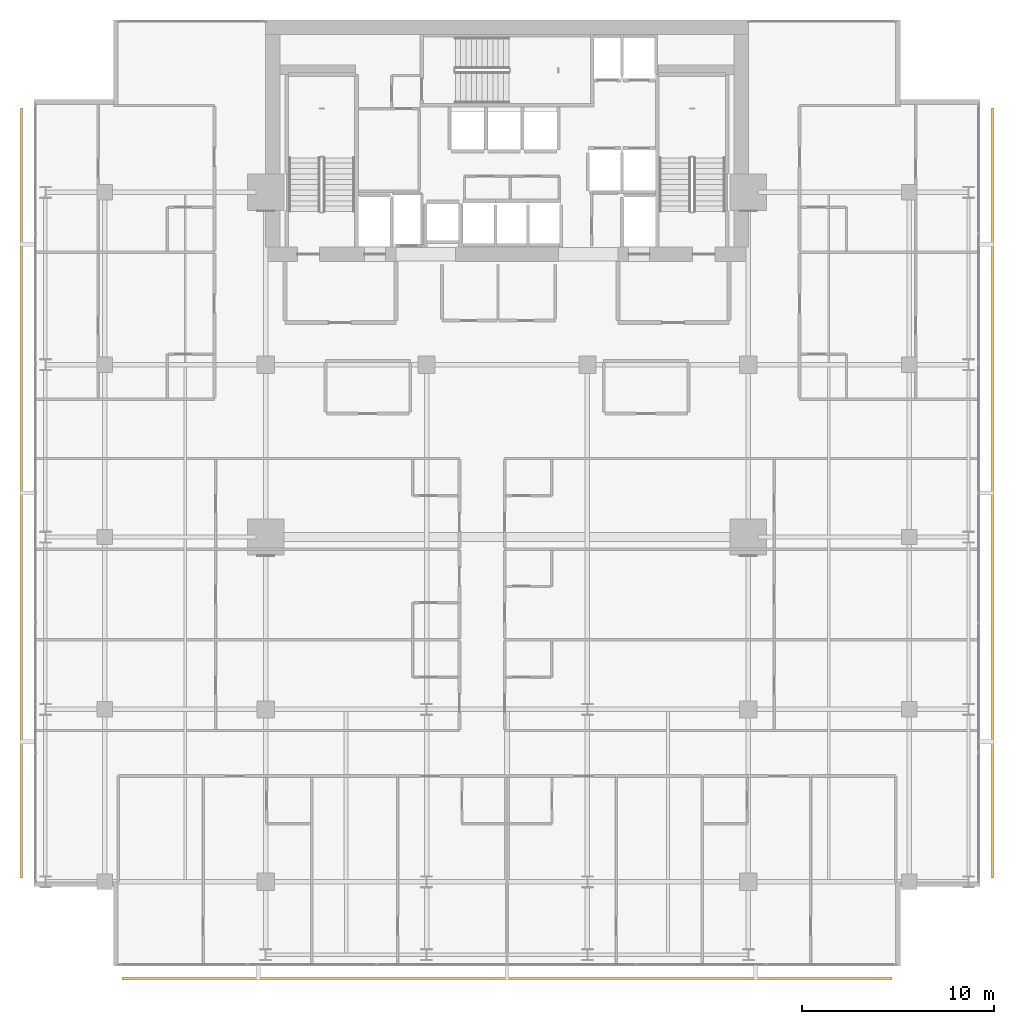
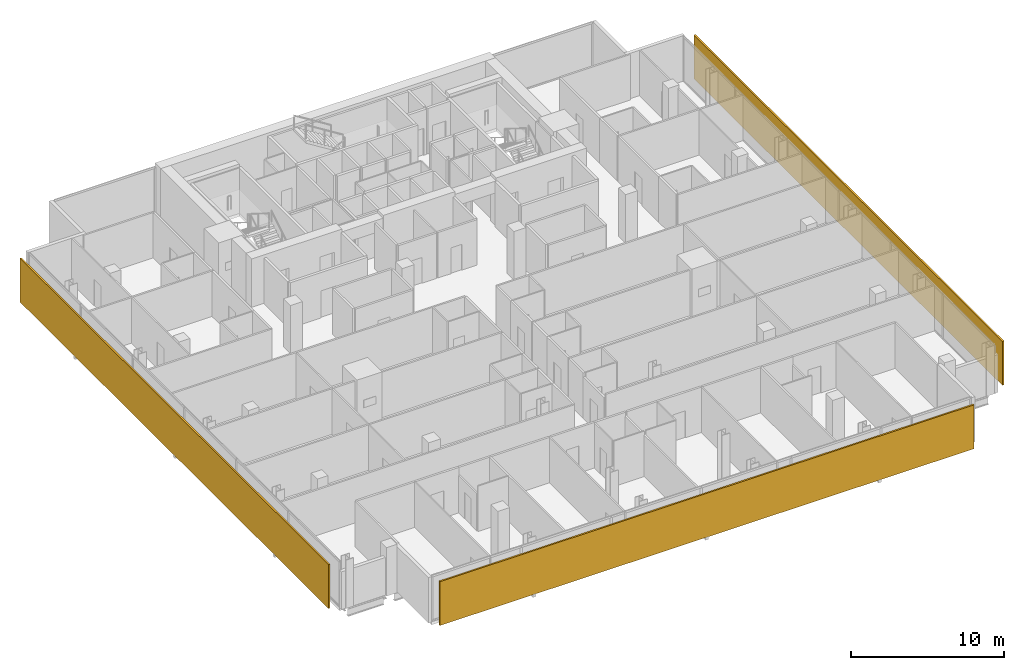
# One storey, part 33 of 34: 3 shading devices.
"""IFC4 building model written with IfcOpenShell, lengths in metres."""

import ifcopenshell
import ifcopenshell.guid

model = None  # the IFC model being written
_history = None  # IfcOwnerHistory: only IFC2X3 demands one
_inside = {}  # id of a spatial element -> (the spatial element, [elements in it])
_under = {}  # id of a project, library or spatial element -> (it, [spatial elements below it])
_declared = {}  # id of a project -> (the project, [libraries it declares])
_typed = {}  # id of a type object -> (the type object, [elements of that type])
_made_of = {}  # id of a material, layer set ... -> (it, [elements and type objects made of it])


def new_model(schema):
    """Start an empty IFC model of exactly this schema.

    Asked for "IFC4X3", IfcOpenShell would pick the latest addendum, in which some entities
    have other attributes; the version numbers below select the first issue.
    IFC2X3 requires an IfcOwnerHistory on every rooted entity: one is made here for all.
    """
    global model, _history
    if schema == "IFC4X3":
        model = ifcopenshell.file(schema_version=(4, 3, 0, 0))
    else:
        model = ifcopenshell.file(schema=schema)
    _inside.clear()
    _under.clear()
    _declared.clear()
    _typed.clear()
    _made_of.clear()
    _history = None
    if model.schema == "IFC2X3":
        org = make("IfcOrganization", Name="unknown")
        user = make(
            "IfcPersonAndOrganization",
            ThePerson=make("IfcPerson", FamilyName="unknown"),
            TheOrganization=org,
        )
        app = make(
            "IfcApplication",
            ApplicationDeveloper=org,
            Version="unknown",
            ApplicationFullName="unknown",
            ApplicationIdentifier="unknown",
        )
        _history = make(
            "IfcOwnerHistory",
            OwningUser=user,
            OwningApplication=app,
            ChangeAction="ADDED",
            CreationDate=0,
        )
    return model


def make(cls, **values):
    """One entity of the class cls with the attributes given. An attribute that is None is left unset."""
    return model.create_entity(
        cls, **{name: value for name, value in values.items() if value is not None}
    )


def rooted(cls, **values):
    """An entity with a GlobalId (a new one), such as an element, a storey or a relation."""
    return make(cls, GlobalId=ifcopenshell.guid.new(), OwnerHistory=_history, **values)


def si_unit(unit_type, name, prefix=None):
    """IfcSIUnit, for example si_unit("LENGTHUNIT", "METRE", prefix="MILLI")."""
    return make("IfcSIUnit", UnitType=unit_type, Prefix=prefix, Name=name)


def assignment(units):
    """IfcUnitAssignment: the units of a project."""
    return None if units is None else make("IfcUnitAssignment", Units=units)


def point(xyz):
    """IfcCartesianPoint."""
    return None if xyz is None else make("IfcCartesianPoint", Coordinates=xyz)


def direction(xyz):
    """IfcDirection."""
    return None if xyz is None else make("IfcDirection", DirectionRatios=xyz)


def frame(location, z_axis=None, x_axis=None):
    """IfcAxis2Placement3D, a coordinate frame: its origin and axes. An axis left out is left unset."""
    return make(
        "IfcAxis2Placement3D",
        Location=point(location),
        Axis=direction(z_axis),
        RefDirection=direction(x_axis),
    )


def frame_2d(location, x_axis=None):
    """IfcAxis2Placement2D, a coordinate frame in the plane: its origin and x axis."""
    return make(
        "IfcAxis2Placement2D", Location=point(location), RefDirection=direction(x_axis)
    )


def origin():
    """The frame at (0, 0, 0) with its axes left unset."""
    return frame((0.0, 0.0, 0.0))


def origin_2d():
    """The frame at (0, 0) in the plane with its x axis left unset."""
    return frame_2d((0.0, 0.0))


def place(relative_to, where):
    """IfcLocalPlacement: puts the frame where relative to a parent placement (None: the world)."""
    return make(
        "IfcLocalPlacement", PlacementRelTo=relative_to, RelativePlacement=where
    )


def context(
    kind, dimensions, precision=None, world=None, true_north=None, identifier=None
):
    """IfcGeometricRepresentationContext, for example the 3D "Model" context."""
    return make(
        "IfcGeometricRepresentationContext",
        ContextIdentifier=identifier,
        ContextType=kind,
        CoordinateSpaceDimension=dimensions,
        Precision=precision,
        WorldCoordinateSystem=world,
        TrueNorth=true_north,
    )


def subcontext(parent, identifier, kind, view, scale=None):
    """IfcGeometricRepresentationSubContext, for example "Body" below "Model"."""
    return make(
        "IfcGeometricRepresentationSubContext",
        ContextIdentifier=identifier,
        ContextType=kind,
        ParentContext=parent,
        TargetScale=scale,
        TargetView=view,
    )


def project(units=None, contexts=None):
    """IfcProject with its units and contexts."""
    return rooted(
        "IfcProject",
        Name="project",
        RepresentationContexts=contexts,
        UnitsInContext=assignment(units),
    )


def spatial(cls, under=None, at=None, **own):
    """A site, building, storey or space (cls), placed at a placement, below another one or the project."""
    s = rooted(cls, ObjectPlacement=at, **own)
    if under is not None:
        _under.setdefault(under.id(), (under, []))[1].append(s)
    return s


def profile(cls, at=None, kind="AREA", **sizes):
    """A parametric profile (cls). Its sizes go by their IFC names, for example OverallWidth=200.0."""
    return make(cls, ProfileType=kind, Position=at, **sizes)


def rectangle(**sizes):
    """IfcRectangleProfileDef."""
    return profile("IfcRectangleProfileDef", **sizes)


def extrude(swept, where, along, depth):
    """IfcExtrudedAreaSolid: the profile swept, set in the frame where, extruded along a direction by depth."""
    return make(
        "IfcExtrudedAreaSolid",
        SweptArea=swept,
        Position=where,
        ExtrudedDirection=direction(along),
        Depth=depth,
    )


def shape(context_of_items, identifier, shape_type, items):
    """IfcShapeRepresentation: the items that make up one representation, for example the "Body"."""
    return make(
        "IfcShapeRepresentation",
        ContextOfItems=context_of_items,
        RepresentationIdentifier=identifier,
        RepresentationType=shape_type,
        Items=items,
    )


def material(Name=None, Category=None):
    """IfcMaterial."""
    return make("IfcMaterial", Name=Name, Category=Category)


def layer(
    of_material, thickness, ventilated=None, Name=None, Category=None, Priority=None
):
    """IfcMaterialLayer: one layer of a wall or slab, of a material (None: an air gap)."""
    return make(
        "IfcMaterialLayer",
        Material=of_material,
        LayerThickness=thickness,
        IsVentilated=ventilated,
        Name=Name,
        Category=Category,
        Priority=Priority,
    )


def layer_set(layers, Name=None):
    """IfcMaterialLayerSet."""
    return make("IfcMaterialLayerSet", MaterialLayers=layers, LayerSetName=Name)


def made_of(thing, what):
    """Note that an element or type object is made of a material, layer set ...; save() writes the relation."""
    if what is not None:
        _made_of.setdefault(what.id(), (what, []))[1].append(thing)
    return thing


def type_object(cls, material=None, **own):
    """A type object (cls), such as IfcWallType, which elements share."""
    return made_of(rooted(cls, **own), material)


def element(
    cls,
    number,
    at=None,
    inside=None,
    cuts=None,
    type_object=None,
    material=None,
    context=None,
    identifier="Body",
    shape_type=None,
    held_by="IfcProductDefinitionShape",
    body=None,
    shapes=None,
    **own,
):
    """One element of the class cls, such as IfcWall. Its Tag is "e" and its number.

    at: its placement. inside: the storey or other place that contains it. cuts: it is an
    opening in that element (IfcRelVoidsElement). A single representation is given by context,
    identifier, shape_type and body (its items); several are given by shapes. held_by: the class
    of the entity that holds the representations. save() writes the other relations.
    """
    e = rooted(cls, Tag="e%d" % number, ObjectPlacement=at, **own)
    if body is not None:
        shapes = [shape(context, identifier, shape_type, body)]
    if shapes is not None:
        e.Representation = make(held_by, Representations=shapes)
    if inside is not None:
        _inside.setdefault(inside.id(), (inside, []))[1].append(e)
    if cuts is not None:
        rooted(
            "IfcRelVoidsElement", RelatingBuildingElement=cuts, RelatedOpeningElement=e
        )
    if type_object is not None:
        _typed.setdefault(type_object.id(), (type_object, []))[1].append(e)
    return made_of(e, material)


def aggregate(whole, parts):
    """IfcRelAggregates: a whole, such as a stair, and the parts it consists of."""
    return rooted("IfcRelAggregates", RelatingObject=whole, RelatedObjects=parts)


def save(model, path):
    """Write the relations noted so far, then the file.

    IfcRelAggregates (storeys below a building ...), IfcRelContainedInSpatialStructure (elements
    in a storey), IfcRelDefinesByType, IfcRelAssociatesMaterial and IfcRelDeclares: one each for
    every whole, place, type object, material and project.
    """
    for whole, parts in _under.values():
        aggregate(whole, parts)
    for where, things in _inside.values():
        rooted(
            "IfcRelContainedInSpatialStructure",
            RelatedElements=things,
            RelatingStructure=where,
        )
    for kind, things in _typed.values():
        rooted("IfcRelDefinesByType", RelatedObjects=things, RelatingType=kind)
    for what, things in _made_of.values():
        rooted("IfcRelAssociatesMaterial", RelatedObjects=things, RelatingMaterial=what)
    for by, libraries in _declared.values():
        rooted("IfcRelDeclares", RelatingContext=by, RelatedDefinitions=libraries)
    model.write(path)


model = new_model("IFC4")

# Units and contexts
model_context = context("Model", 3, precision=1e-05, world=origin(), true_north=direction((0.0, 1.0)))
body_context = subcontext(model_context, "Body", "Model", "MODEL_VIEW")
ifc_project = project(units=[si_unit("LENGTHUNIT", "METRE"), si_unit("AREAUNIT", "SQUARE_METRE"), si_unit("VOLUMEUNIT", "CUBIC_METRE"), si_unit("PLANEANGLEUNIT", "RADIAN"), si_unit("MASSUNIT", "GRAM", prefix="KILO")], contexts=[model_context])

# Site, building, storey
site_placement = place(None, origin())
site = spatial("IfcSite", under=ifc_project, at=site_placement, CompositionType="ELEMENT")
building_placement = place(site_placement, origin())
building = spatial("IfcBuilding", under=site, at=building_placement, Name="Maruvema Waterfront Hotel and Observation Tower", CompositionType="ELEMENT")
storey_placement = place(building_placement, frame((0.0, 0.0, 146.64990234375)))
storey = spatial("IfcBuildingStorey", under=building, at=storey_placement, Name="L35", CompositionType="ELEMENT", Elevation=146.64990234375)

# Shading devices
ifc_material = material(Name="Honed travertine stone and anodised architectural bronze", Category="masonry")
ifc_layer = layer(ifc_material, 0.1201171875, Name="Ventilated Outer Skin Cobogo Stone-and-Bronze Screen 120 mm")
ifc_layer_set = layer_set([ifc_layer], Name="Honed travertine stone and anodised architectural bronze")
shading_device_type = type_object("IfcShadingDeviceType", Name="Ventilated Outer Skin Cobogo Stone-and-Bronze Screen 120 mm", PredefinedType="USERDEFINED", material=ifc_layer_set)
for number, where, z_axis, x_axis, name in (
    (1, (37.800048828125, 3.949951171875, 0.06005859375), (0.0, 0.0, 1.0), (1.0, 0.0, 0.0), "L35 Ventilated Double-Skin Outer Cobogo Screen OS-L35-S"),
    (2, (63.14990234375, 29.300048828125, 0.06005859375), (0.0, 0.0, 1.0), (0.0, 1.0, 0.0), "L35 Ventilated Double-Skin Outer Cobogo Screen OS-L35-E"),
    (3, (12.449951171875, 29.300048828125, 0.06005859375), (0.0, 0.0, 1.0), (0.0, -1.0, 0.0), "L35 Ventilated Double-Skin Outer Cobogo Screen OS-L35-W"),
):
    element("IfcShadingDevice", number, at=place(storey_placement, frame(where, z_axis=z_axis, x_axis=x_axis)), inside=storey, type_object=shading_device_type, Name=name, ObjectType="OUTER SKIN SCREEN", PredefinedType="USERDEFINED", context=body_context, shape_type="SweptSolid", body=[
        extrude(rectangle(XDim=40.199951171875, YDim=0.1201171875, at=origin_2d()), origin(), (0.0, 0.0, 1.0), 3.489990234375),
    ])

save(model, "model.ifc")
